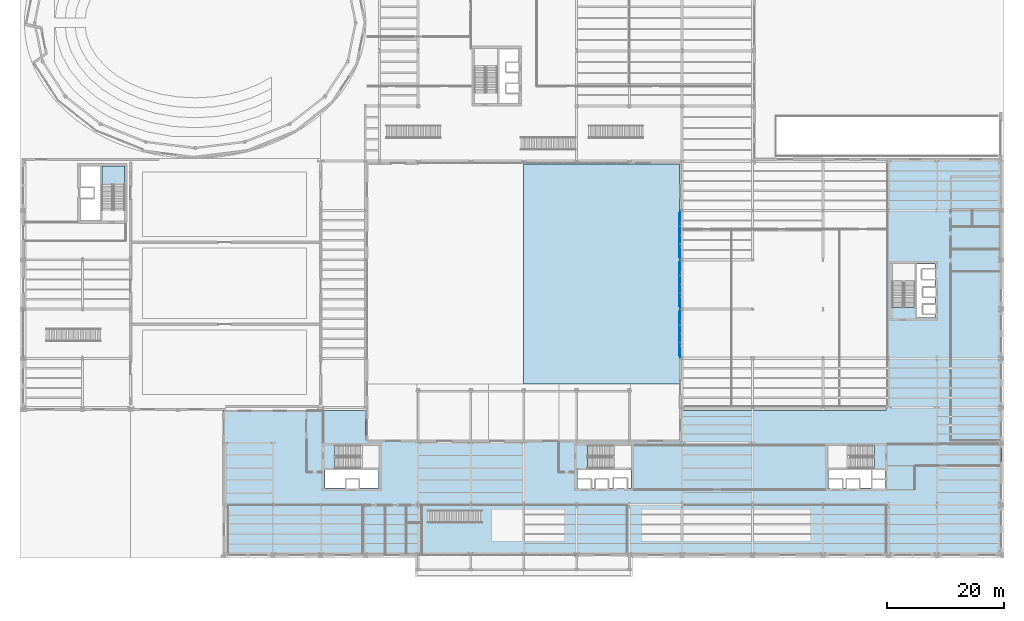
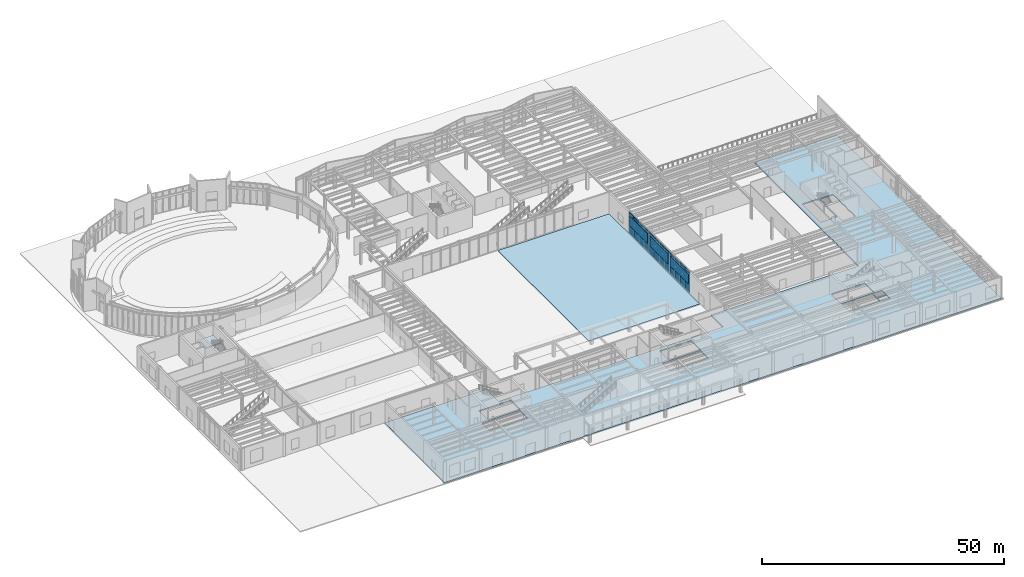
# One storey, part 63 of 94: 27 plates, 3 slabs, 7 elements without a shape of their own.
"""IFC4 building model written with IfcOpenShell, lengths in metres."""

from ifc_helpers import new_model, si_unit, direction, frame, origin, origin_2d, place, context, subcontext, project, spatial, polyline, rectangle, outline, extrude, material, layer, layer_set, type_object, element, aggregate, save


model = new_model("IFC4")

# Units and contexts
model_context = context("Model", 3, precision=1e-05, world=origin(), true_north=direction((0.0, 1.0)))
body_context = subcontext(model_context, "Body", "Model", "MODEL_VIEW")
ifc_project = project(units=[si_unit("LENGTHUNIT", "METRE"), si_unit("AREAUNIT", "SQUARE_METRE"), si_unit("VOLUMEUNIT", "CUBIC_METRE"), si_unit("PLANEANGLEUNIT", "RADIAN"), si_unit("MASSUNIT", "GRAM", prefix="KILO")], contexts=[model_context])

# Site, building, storey
site_placement = place(None, origin())
site = spatial("IfcSite", under=ifc_project, at=site_placement, CompositionType="ELEMENT")
building_placement = place(site_placement, origin())
building = spatial("IfcBuilding", under=site, at=building_placement, Name="Sollismere Congress Hotel", CompositionType="ELEMENT")
storey_placement = place(building_placement, origin())
storey = spatial("IfcBuildingStorey", under=building, at=storey_placement, Name="L00", CompositionType="ELEMENT", Elevation=0.0)

# Curtain wall, plates
ifc_material_1 = material(Name="Anodized Bronze Curtain Wall & Low-E Triple Glazing", Category="glass")
ifc_layer_1 = layer(ifc_material_1, 0.199951171875, Name="Anodized Bronze Curtain Wall & Low-E Triple Glazing")
ifc_layer_set_1 = layer_set([ifc_layer_1], Name="Anodized Bronze Curtain Wall & Low-E Triple Glazing")
curtain_wall_type = type_object("IfcCurtainWallType", Name="CW-GLZ36", PredefinedType="USERDEFINED", material=ifc_layer_set_1)
curtain_wall_1_placement = place(storey_placement, origin())
curtain_wall_1 = element("IfcCurtainWall", 1, at=curtain_wall_1_placement, inside=storey, type_object=curtain_wall_type, Name="Unitised curtain wall CW-L00-135", ObjectType="UNITISED CURTAIN WALL", PredefinedType="USERDEFINED")
ifc_material_2 = material(Name="Blue-Tinted Solar-Control Low-E Vision Glass", Category="glass")
ifc_layer_2 = layer(ifc_material_2, 0.035888671875, Name="Blue-Tinted Solar-Control Low-E Vision Glass")
ifc_layer_set_2 = layer_set([ifc_layer_2], Name="Blue-Tinted Solar-Control Low-E Vision Glass")
plate_type_1 = type_object("IfcPlateType", Name="PL-CWGLZ", PredefinedType="CURTAIN_PANEL", material=ifc_layer_set_2)
plate_1_placement = place(storey_placement, frame((111.68994140625, 34.276611328125, 0.052978515625), z_axis=(0.0, 0.0, 1.0), x_axis=(0.0, 1.0, 0.0)))
plate_1 = element("IfcPlate", 2, at=plate_1_placement, type_object=plate_type_1, Name="CWL-CW-L00-135-VP01", PredefinedType="CURTAIN_PANEL", context=body_context, shape_type="SweptSolid", body=[
    extrude(rectangle(XDim=2.006103515625, YDim=0.035888671875, at=origin_2d()), origin(), (0.0, 0.0, 1.0), 4.60888671875),
])
plate_2_placement = place(storey_placement, frame((111.68994140625, 36.33349609375, 0.052978515625), z_axis=(0.0, 0.0, 1.0), x_axis=(0.0, 1.0, 0.0)))
plate_2 = element("IfcPlate", 3, at=plate_2_placement, type_object=plate_type_1, Name="CWL-CW-L00-135-VP02", PredefinedType="CURTAIN_PANEL", context=body_context, shape_type="SweptSolid", body=[
    extrude(rectangle(XDim=2.006103515625, YDim=0.035888671875, at=origin_2d()), origin(), (0.0, 0.0, 1.0), 4.60888671875),
])

curtain_wall_2_placement = place(storey_placement, origin())
curtain_wall_2 = element("IfcCurtainWall", 4, at=curtain_wall_2_placement, inside=storey, type_object=curtain_wall_type, Name="Unitised curtain wall CW-L00-136", ObjectType="UNITISED CURTAIN WALL", PredefinedType="USERDEFINED")
plate_3_placement = place(storey_placement, frame((111.68994140625, 38.466552734375, 0.052978515625), z_axis=(0.0, 0.0, 1.0), x_axis=(0.0, 1.0, 0.0)))
plate_3 = element("IfcPlate", 5, at=plate_3_placement, type_object=plate_type_1, Name="CWL-CW-L00-136-VP01", PredefinedType="CURTAIN_PANEL", context=body_context, shape_type="SweptSolid", body=[
    extrude(rectangle(XDim=2.006103515625, YDim=0.035888671875, at=origin_2d()), origin(), (0.0, 0.0, 1.0), 4.60888671875),
])
plate_4_placement = place(storey_placement, frame((111.68994140625, 40.5234375, 0.052978515625), z_axis=(0.0, 0.0, 1.0), x_axis=(0.0, 1.0, 0.0)))
plate_4 = element("IfcPlate", 6, at=plate_4_placement, type_object=plate_type_1, Name="CWL-CW-L00-136-VP02", PredefinedType="CURTAIN_PANEL", context=body_context, shape_type="SweptSolid", body=[
    extrude(rectangle(XDim=2.006103515625, YDim=0.035888671875, at=origin_2d()), origin(), (0.0, 0.0, 1.0), 4.60888671875),
])

curtain_wall_3_placement = place(storey_placement, origin())
curtain_wall_3 = element("IfcCurtainWall", 7, at=curtain_wall_3_placement, inside=storey, type_object=curtain_wall_type, Name="Unitised curtain wall CW-L00-137", ObjectType="UNITISED CURTAIN WALL", PredefinedType="USERDEFINED")
plate_5_placement = place(storey_placement, frame((111.68994140625, 42.676513671875, 0.052978515625), z_axis=(0.0, 0.0, 1.0), x_axis=(0.0, 1.0, 0.0)))
plate_5 = element("IfcPlate", 8, at=plate_5_placement, type_object=plate_type_1, Name="CWL-CW-L00-137-VP01", PredefinedType="CURTAIN_PANEL", context=body_context, shape_type="SweptSolid", body=[
    extrude(rectangle(XDim=2.006103515625, YDim=0.035888671875, at=origin_2d()), origin(), (0.0, 0.0, 1.0), 4.60888671875),
])
plate_6_placement = place(storey_placement, frame((111.68994140625, 44.7333984375, 0.052978515625), z_axis=(0.0, 0.0, 1.0), x_axis=(0.0, 1.0, 0.0)))
plate_6 = element("IfcPlate", 9, at=plate_6_placement, type_object=plate_type_1, Name="CWL-CW-L00-137-VP02", PredefinedType="CURTAIN_PANEL", context=body_context, shape_type="SweptSolid", body=[
    extrude(rectangle(XDim=2.006103515625, YDim=0.035888671875, at=origin_2d()), origin(), (0.0, 0.0, 1.0), 4.60888671875),
])

curtain_wall_4_placement = place(storey_placement, origin())
curtain_wall_4 = element("IfcCurtainWall", 10, at=curtain_wall_4_placement, inside=storey, type_object=curtain_wall_type, Name="Unitised curtain wall CW-L00-138", ObjectType="UNITISED CURTAIN WALL", PredefinedType="USERDEFINED")
plate_7_placement = place(storey_placement, frame((111.68994140625, 46.866455078125, 0.052978515625), z_axis=(0.0, 0.0, 1.0), x_axis=(0.0, 1.0, 0.0)))
plate_7 = element("IfcPlate", 11, at=plate_7_placement, type_object=plate_type_1, Name="CWL-CW-L00-138-VP01", PredefinedType="CURTAIN_PANEL", context=body_context, shape_type="SweptSolid", body=[
    extrude(rectangle(XDim=2.006103515625, YDim=0.035888671875, at=origin_2d()), origin(), (0.0, 0.0, 1.0), 4.60888671875),
])
plate_8_placement = place(storey_placement, frame((111.68994140625, 48.923583984375, 0.052978515625), z_axis=(0.0, 0.0, 1.0), x_axis=(0.0, 1.0, 0.0)))
plate_8 = element("IfcPlate", 12, at=plate_8_placement, type_object=plate_type_1, Name="CWL-CW-L00-138-VP02", PredefinedType="CURTAIN_PANEL", context=body_context, shape_type="SweptSolid", body=[
    extrude(rectangle(XDim=2.006103515625, YDim=0.035888671875, at=origin_2d()), origin(), (0.0, 0.0, 1.0), 4.60888671875),
])

curtain_wall_5_placement = place(storey_placement, origin())
curtain_wall_5 = element("IfcCurtainWall", 13, at=curtain_wall_5_placement, inside=storey, type_object=curtain_wall_type, Name="Unitised curtain wall CW-L00-139", ObjectType="UNITISED CURTAIN WALL", PredefinedType="USERDEFINED")
plate_9_placement = place(storey_placement, frame((111.68994140625, 51.076416015625, 0.052978515625), z_axis=(0.0, 0.0, 1.0), x_axis=(0.0, 1.0, 0.0)))
plate_9 = element("IfcPlate", 14, at=plate_9_placement, type_object=plate_type_1, Name="CWL-CW-L00-139-VP01", PredefinedType="CURTAIN_PANEL", context=body_context, shape_type="SweptSolid", body=[
    extrude(rectangle(XDim=2.006103515625, YDim=0.035888671875, at=origin_2d()), origin(), (0.0, 0.0, 1.0), 4.60888671875),
])
plate_10_placement = place(storey_placement, frame((111.68994140625, 53.133544921875, 0.052978515625), z_axis=(0.0, 0.0, 1.0), x_axis=(0.0, 1.0, 0.0)))
plate_10 = element("IfcPlate", 15, at=plate_10_placement, type_object=plate_type_1, Name="CWL-CW-L00-139-VP02", PredefinedType="CURTAIN_PANEL", context=body_context, shape_type="SweptSolid", body=[
    extrude(rectangle(XDim=2.006103515625, YDim=0.035888671875, at=origin_2d()), origin(), (0.0, 0.0, 1.0), 4.60888671875),
])

curtain_wall_6_placement = place(storey_placement, origin())
curtain_wall_6 = element("IfcCurtainWall", 16, at=curtain_wall_6_placement, inside=storey, type_object=curtain_wall_type, Name="Unitised curtain wall CW-L00-140", ObjectType="UNITISED CURTAIN WALL", PredefinedType="USERDEFINED")
plate_11_placement = place(storey_placement, frame((111.68994140625, 55.2666015625, 0.052978515625), z_axis=(0.0, 0.0, 1.0), x_axis=(0.0, 1.0, 0.0)))
plate_11 = element("IfcPlate", 17, at=plate_11_placement, type_object=plate_type_1, Name="CWL-CW-L00-140-VP01", PredefinedType="CURTAIN_PANEL", context=body_context, shape_type="SweptSolid", body=[
    extrude(rectangle(XDim=2.006103515625, YDim=0.035888671875, at=origin_2d()), origin(), (0.0, 0.0, 1.0), 4.60888671875),
])
plate_12_placement = place(storey_placement, frame((111.68994140625, 57.323486328125, 0.052978515625), z_axis=(0.0, 0.0, 1.0), x_axis=(0.0, 1.0, 0.0)))
plate_12 = element("IfcPlate", 18, at=plate_12_placement, type_object=plate_type_1, Name="CWL-CW-L00-140-VP02", PredefinedType="CURTAIN_PANEL", context=body_context, shape_type="SweptSolid", body=[
    extrude(rectangle(XDim=2.006103515625, YDim=0.035888671875, at=origin_2d()), origin(), (0.0, 0.0, 1.0), 4.60888671875),
])

# Plate
ifc_material_3 = material(Name="Anodized Bronze Insulated Spandrel Panel")
ifc_layer_3 = layer(ifc_material_3, 0.044921875, Name="Anodized Bronze Insulated Spandrel Panel")
ifc_layer_set_3 = layer_set([ifc_layer_3], Name="Anodized Bronze Insulated Spandrel Panel")
plate_type_2 = type_object("IfcPlateType", Name="PL-CWSPN", PredefinedType="SHEET", material=ifc_layer_set_3)
plate_13_placement = place(storey_placement, frame((111.68994140625, 34.276611328125, 4.77783203125), z_axis=(0.0, 0.0, 1.0), x_axis=(0.0, 1.0, 0.0)))
plate_13 = element("IfcPlate", 19, at=plate_13_placement, type_object=plate_type_2, Name="CWL-CW-L00-135-SP01", PredefinedType="SHEET", context=body_context, shape_type="SweptSolid", body=[
    extrude(rectangle(XDim=2.006103515625, YDim=0.044921875, at=origin_2d()), origin(), (0.0, 0.0, 1.0), 0.569091796875),
])

plate_14_placement = place(storey_placement, frame((111.68994140625, 36.33349609375, 4.77783203125), z_axis=(0.0, 0.0, 1.0), x_axis=(0.0, 1.0, 0.0)))
plate_14 = element("IfcPlate", 20, at=plate_14_placement, type_object=plate_type_2, Name="CWL-CW-L00-135-SP02", PredefinedType="SHEET", context=body_context, shape_type="SweptSolid", body=[
    extrude(rectangle(XDim=2.006103515625, YDim=0.044921875, at=origin_2d()), origin(), (0.0, 0.0, 1.0), 0.569091796875),
])

aggregate(curtain_wall_1, [plate_1, plate_13, plate_2, plate_14])

plate_15_placement = place(storey_placement, frame((111.68994140625, 38.466552734375, 4.77783203125), z_axis=(0.0, 0.0, 1.0), x_axis=(0.0, 1.0, 0.0)))
plate_15 = element("IfcPlate", 21, at=plate_15_placement, type_object=plate_type_2, Name="CWL-CW-L00-136-SP01", PredefinedType="SHEET", context=body_context, shape_type="SweptSolid", body=[
    extrude(rectangle(XDim=2.006103515625, YDim=0.044921875, at=origin_2d()), origin(), (0.0, 0.0, 1.0), 0.569091796875),
])

plate_16_placement = place(storey_placement, frame((111.68994140625, 40.5234375, 4.77783203125), z_axis=(0.0, 0.0, 1.0), x_axis=(0.0, 1.0, 0.0)))
plate_16 = element("IfcPlate", 22, at=plate_16_placement, type_object=plate_type_2, Name="CWL-CW-L00-136-SP02", PredefinedType="SHEET", context=body_context, shape_type="SweptSolid", body=[
    extrude(rectangle(XDim=2.006103515625, YDim=0.044921875, at=origin_2d()), origin(), (0.0, 0.0, 1.0), 0.569091796875),
])

aggregate(curtain_wall_2, [plate_3, plate_15, plate_4, plate_16])

plate_17_placement = place(storey_placement, frame((111.68994140625, 42.676513671875, 4.77783203125), z_axis=(0.0, 0.0, 1.0), x_axis=(0.0, 1.0, 0.0)))
plate_17 = element("IfcPlate", 23, at=plate_17_placement, type_object=plate_type_2, Name="CWL-CW-L00-137-SP01", PredefinedType="SHEET", context=body_context, shape_type="SweptSolid", body=[
    extrude(rectangle(XDim=2.006103515625, YDim=0.044921875, at=origin_2d()), origin(), (0.0, 0.0, 1.0), 0.569091796875),
])

plate_18_placement = place(storey_placement, frame((111.68994140625, 44.7333984375, 4.77783203125), z_axis=(0.0, 0.0, 1.0), x_axis=(0.0, 1.0, 0.0)))
plate_18 = element("IfcPlate", 24, at=plate_18_placement, type_object=plate_type_2, Name="CWL-CW-L00-137-SP02", PredefinedType="SHEET", context=body_context, shape_type="SweptSolid", body=[
    extrude(rectangle(XDim=2.006103515625, YDim=0.044921875, at=origin_2d()), origin(), (0.0, 0.0, 1.0), 0.569091796875),
])

aggregate(curtain_wall_3, [plate_5, plate_17, plate_6, plate_18])

plate_19_placement = place(storey_placement, frame((111.68994140625, 46.866455078125, 4.77783203125), z_axis=(0.0, 0.0, 1.0), x_axis=(0.0, 1.0, 0.0)))
plate_19 = element("IfcPlate", 25, at=plate_19_placement, type_object=plate_type_2, Name="CWL-CW-L00-138-SP01", PredefinedType="SHEET", context=body_context, shape_type="SweptSolid", body=[
    extrude(rectangle(XDim=2.006103515625, YDim=0.044921875, at=origin_2d()), origin(), (0.0, 0.0, 1.0), 0.569091796875),
])

plate_20_placement = place(storey_placement, frame((111.68994140625, 48.923583984375, 4.77783203125), z_axis=(0.0, 0.0, 1.0), x_axis=(0.0, 1.0, 0.0)))
plate_20 = element("IfcPlate", 26, at=plate_20_placement, type_object=plate_type_2, Name="CWL-CW-L00-138-SP02", PredefinedType="SHEET", context=body_context, shape_type="SweptSolid", body=[
    extrude(rectangle(XDim=2.006103515625, YDim=0.044921875, at=origin_2d()), origin(), (0.0, 0.0, 1.0), 0.569091796875),
])

aggregate(curtain_wall_4, [plate_7, plate_19, plate_8, plate_20])

plate_21_placement = place(storey_placement, frame((111.68994140625, 51.076416015625, 4.77783203125), z_axis=(0.0, 0.0, 1.0), x_axis=(0.0, 1.0, 0.0)))
plate_21 = element("IfcPlate", 27, at=plate_21_placement, type_object=plate_type_2, Name="CWL-CW-L00-139-SP01", PredefinedType="SHEET", context=body_context, shape_type="SweptSolid", body=[
    extrude(rectangle(XDim=2.006103515625, YDim=0.044921875, at=origin_2d()), origin(), (0.0, 0.0, 1.0), 0.569091796875),
])

plate_22_placement = place(storey_placement, frame((111.68994140625, 53.133544921875, 4.77783203125), z_axis=(0.0, 0.0, 1.0), x_axis=(0.0, 1.0, 0.0)))
plate_22 = element("IfcPlate", 28, at=plate_22_placement, type_object=plate_type_2, Name="CWL-CW-L00-139-SP02", PredefinedType="SHEET", context=body_context, shape_type="SweptSolid", body=[
    extrude(rectangle(XDim=2.006103515625, YDim=0.044921875, at=origin_2d()), origin(), (0.0, 0.0, 1.0), 0.569091796875),
])

aggregate(curtain_wall_5, [plate_9, plate_21, plate_10, plate_22])

plate_23_placement = place(storey_placement, frame((111.68994140625, 55.2666015625, 4.77783203125), z_axis=(0.0, 0.0, 1.0), x_axis=(0.0, 1.0, 0.0)))
plate_23 = element("IfcPlate", 29, at=plate_23_placement, type_object=plate_type_2, Name="CWL-CW-L00-140-SP01", PredefinedType="SHEET", context=body_context, shape_type="SweptSolid", body=[
    extrude(rectangle(XDim=2.006103515625, YDim=0.044921875, at=origin_2d()), origin(), (0.0, 0.0, 1.0), 0.569091796875),
])

plate_24_placement = place(storey_placement, frame((111.68994140625, 57.323486328125, 4.77783203125), z_axis=(0.0, 0.0, 1.0), x_axis=(0.0, 1.0, 0.0)))
plate_24 = element("IfcPlate", 30, at=plate_24_placement, type_object=plate_type_2, Name="CWL-CW-L00-140-SP02", PredefinedType="SHEET", context=body_context, shape_type="SweptSolid", body=[
    extrude(rectangle(XDim=2.006103515625, YDim=0.044921875, at=origin_2d()), origin(), (0.0, 0.0, 1.0), 0.569091796875),
])

aggregate(curtain_wall_6, [plate_11, plate_23, plate_12, plate_24])

# Plates
ifc_material_4 = material(Name="Perforated Architectural Bronze Sebeke Screen")
ifc_layer_4 = layer(ifc_material_4, 0.0380859375, Name="Perforated Architectural Bronze Sebeke Screen")
ifc_layer_set_4 = layer_set([ifc_layer_4], Name="Perforated Architectural Bronze Sebeke Screen")
plate_type_3 = type_object("IfcPlateType", Name="PL-SBK32", PredefinedType="USERDEFINED", material=ifc_layer_set_4)
for number, where, z_axis, x_axis, name in (
    (31, (111.550048828125, 37.39990234375, 2.045654296875), (0.0, 0.0, 1.0), (0.0, 1.0, 0.0), "PLT-SBK-022"),
    (32, (111.550048828125, 45.800048828125, 2.045654296875), (0.0, 0.0, 1.0), (0.0, 1.0, 0.0), "PLT-SBK-023"),
    (33, (111.550048828125, 54.199951171875, 2.045654296875), (0.0, 0.0, 1.0), (0.0, 1.0, 0.0), "PLT-SBK-024"),
):
    element("IfcPlate", number, at=place(storey_placement, frame(where, z_axis=z_axis, x_axis=x_axis)), inside=storey, type_object=plate_type_3, Name=name, ObjectType="PERFORATED SCREEN", PredefinedType="USERDEFINED", context=body_context, shape_type="SweptSolid", body=[
        extrude(rectangle(XDim=7.5, YDim=0.0380859375, at=origin_2d()), origin(), (0.0, 0.0, 1.0), 2.55810546875),
    ])

# Slab
ifc_material_5 = material(Name="Concrete C40/50", Category="concrete")
ifc_layer_5 = layer(ifc_material_5, 0.300048828125, Name="Concrete C40/50")
ifc_layer_set_5 = layer_set([ifc_layer_5], Name="Concrete C40/50")
slab_type_1 = type_object("IfcSlabType", Name="SL-FLR300", PredefinedType="FLOOR", material=ifc_layer_set_5)
slab_1_placement = place(storey_placement, frame((0.0, 0.0, -0.300048828125)))
element("IfcSlab", 34, at=slab_1_placement, inside=storey, type_object=slab_type_1, Name="Slab SL-L00-V5", PredefinedType="FLOOR", context=body_context, shape_type="SweptSolid", body=[
    extrude(outline(polyline([(166.47998046875, -0.47998046875), (166.47998046875, 19.280029296875), (166.47998046875, 67.280029296875), (146.719970703125, 67.280029296875), (146.719970703125, 24.320068359375), (111.52001953125, 24.320068359375), (111.52001953125, 19.280029296875), (58.0, 19.280029296875), (58.0, 24.320068359375), (33.719970703125, 24.320068359375), (33.719970703125, 19.280029296875), (33.719970703125, -0.47998046875), (166.47998046875, -0.47998046875)]), holes=[polyline([(54.7548828125, 11.050048828125), (54.7548828125, 11.139892578125), (51.139892578125, 11.139892578125), (51.139892578125, 14.179931640625), (60.260009765625, 14.179931640625), (60.260009765625, 11.139892578125), (56.844970703125, 11.139892578125), (56.844970703125, 11.050048828125), (54.7548828125, 11.050048828125)]), polyline([(94.35498046875, 11.050048828125), (94.35498046875, 11.139892578125), (94.139892578125, 11.139892578125), (94.139892578125, 14.179931640625), (103.260009765625, 14.179931640625), (103.260009765625, 11.139892578125), (102.570068359375, 11.139892578125), (102.570068359375, 11.054931640625), (100.330078125, 11.054931640625), (100.330078125, 11.139892578125), (99.344970703125, 11.139892578125), (99.344970703125, 11.050048828125), (97.2548828125, 11.050048828125), (97.2548828125, 11.139892578125), (96.445068359375, 11.139892578125), (96.445068359375, 11.050048828125), (94.35498046875, 11.050048828125)]), polyline([(137.155029296875, 11.050048828125), (137.155029296875, 11.139892578125), (136.93994140625, 11.139892578125), (136.93994140625, 14.179931640625), (144.22705078125, 14.179931640625), (144.22705078125, 11.139892578125), (142.14501953125, 11.139892578125), (142.14501953125, 11.050048828125), (140.054931640625, 11.050048828125), (140.054931640625, 11.139892578125), (139.2451171875, 11.139892578125), (139.2451171875, 11.050048828125), (137.155029296875, 11.050048828125)]), polyline([(52.8505859375, 18.35009765625), (60.39990234375, 18.35009765625), (60.39990234375, 14.449951171875), (52.8505859375, 14.449951171875), (52.8505859375, 18.35009765625)]), polyline([(95.8505859375, 14.449951171875), (95.8505859375, 18.35009765625), (103.39990234375, 18.35009765625), (103.39990234375, 14.449951171875), (95.8505859375, 14.449951171875)]), polyline([(146.550048828125, 11.0048828125), (144.409912109375, 11.0048828125), (144.409912109375, 12.4951171875), (146.550048828125, 12.4951171875), (146.550048828125, 11.0048828125)]), polyline([(144.409912109375, 12.705078125), (144.409912109375, 14.195068359375), (146.550048828125, 14.195068359375), (146.550048828125, 12.705078125), (144.409912109375, 12.705078125)]), polyline([(144.749267578125, 14.449951171875), (136.800048828125, 14.449951171875), (136.800048828125, 18.35009765625), (144.749267578125, 18.35009765625), (144.749267578125, 14.449951171875)]), polyline([(155.06005859375, 40.830078125), (155.06005859375, 40.139892578125), (151.969970703125, 40.139892578125), (151.969970703125, 49.260009765625), (155.06005859375, 49.260009765625), (155.06005859375, 48.39501953125), (155.139892578125, 48.39501953125), (155.139892578125, 46.705078125), (155.06005859375, 46.705078125), (155.06005859375, 45.27001953125), (155.14501953125, 45.27001953125), (155.14501953125, 43.72998046875), (155.06005859375, 43.72998046875), (155.06005859375, 42.3701171875), (155.14501953125, 42.3701171875), (155.14501953125, 40.830078125), (155.06005859375, 40.830078125)]), polyline([(147.800048828125, 41.8505859375), (147.800048828125, 49.39990234375), (151.699951171875, 49.39990234375), (151.699951171875, 41.8505859375), (147.800048828125, 41.8505859375)])]), origin(), (0.0, 0.0, 1.0), 0.300048828125),
])

# Stair, slab
stair_type = type_object("IfcStairType", Name="STR-DL-540", PredefinedType="HALF_TURN_STAIR", material=ifc_material_5)
stair_placement = place(storey_placement, origin())
stair = element("IfcStair", 35, at=stair_placement, inside=storey, type_object=stair_type, Name="Protected exit stair ST-05-L00", PredefinedType="HALF_TURN_STAIR")
ifc_layer_6 = layer(ifc_material_5, 0.199951171875, Name="Concrete C40/50")
ifc_layer_set_6 = layer_set([ifc_layer_6], Name="Concrete C40/50")
slab_type_2 = type_object("IfcSlabType", Name="SL-LND200", PredefinedType="LANDING", material=ifc_layer_set_6)
slab_2_placement = place(storey_placement, frame((0.0, 0.0, 2.5)))
slab_2 = element("IfcSlab", 36, at=slab_2_placement, type_object=slab_type_2, Name="Exit stair half-landing ST-05-L00-L1", PredefinedType="LANDING", context=body_context, shape_type="SweptSolid", body=[
    extrude(outline(polyline([(17.0, 62.800048828125), (17.0, 66.0), (13.10009765625, 66.0), (13.10009765625, 62.800048828125), (17.0, 62.800048828125)])), origin(), (0.0, 0.0, 1.0), 0.199951171875),
])
aggregate(stair, [slab_2])

# Slab
ifc_material_6 = material(Name="Precast Concrete C40/50", Category="concrete")
ifc_layer_7 = layer(ifc_material_6, 0.264892578125, Name="Precast Concrete C40/50")
ifc_layer_set_7 = layer_set([ifc_layer_7], Name="Precast Concrete C40/50")
slab_type_3 = type_object("IfcSlabType", Name="SL-PAV150", PredefinedType="USERDEFINED", material=ifc_layer_set_7)
slab_3_placement = place(storey_placement, frame((0.0, 0.0, -0.264892578125)))
element("IfcSlab", 37, at=slab_3_placement, inside=storey, type_object=slab_type_3, Name="Slab SL-L00-PV1E2", ObjectType="EXTERIOR PAVING", PredefinedType="USERDEFINED", context=body_context, shape_type="SweptSolid", body=[
    extrude(outline(polyline([(111.52001953125, 66.320068359375), (85.0, 66.320068359375), (85.0, 28.800048828125), (111.52001953125, 28.800048828125), (111.52001953125, 66.320068359375)])), origin(), (0.0, 0.0, 1.0), 0.264892578125),
])

save(model, "model.ifc")
